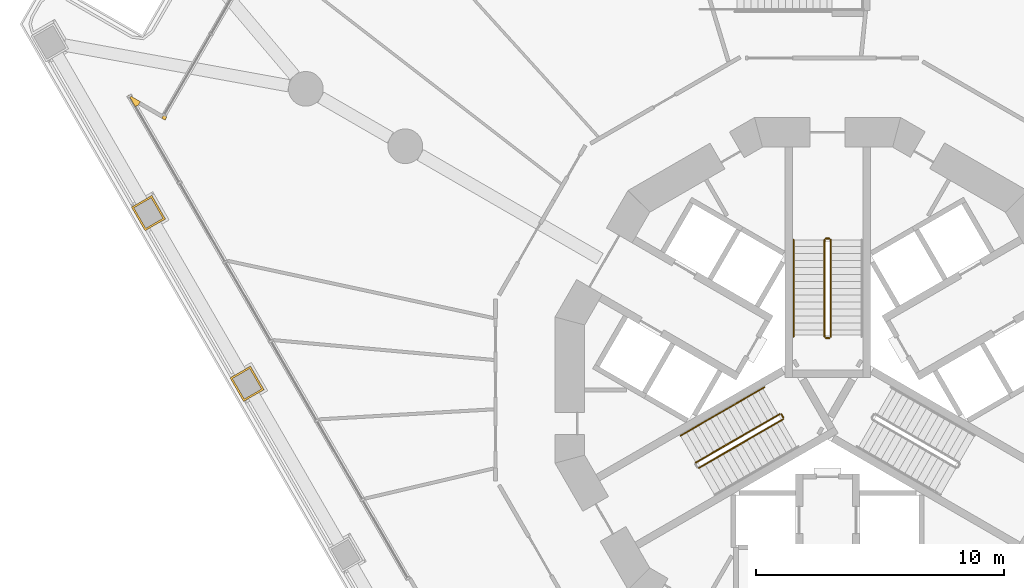
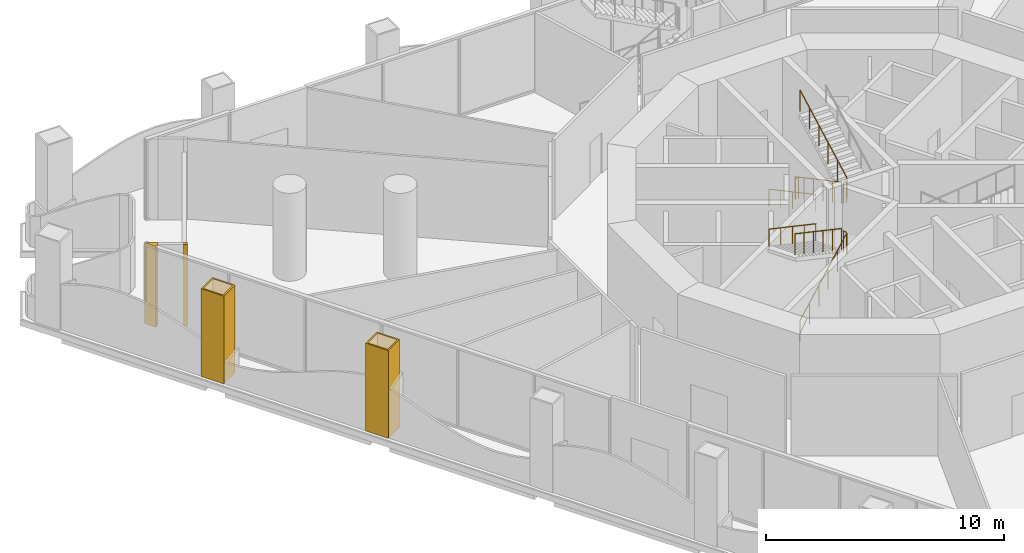
# One storey, part 20 of 23: 10 railings, 4 coverings.
"""IFC4 building model written with IfcOpenShell, lengths in metres."""

from ifc_helpers import new_model, si_unit, direction, frame, origin, origin_2d, place, context, subcontext, project, spatial, polyline, circle, outline, extrude, material, layer, layer_set, type_object, element, save


model = new_model("IFC4")

# Units and contexts
model_context = context("Model", 3, precision=1e-05, world=origin(), true_north=direction((0.0, 1.0)))
body_context = subcontext(model_context, "Body", "Model", "MODEL_VIEW")
ifc_project = project(units=[si_unit("LENGTHUNIT", "METRE"), si_unit("AREAUNIT", "SQUARE_METRE"), si_unit("VOLUMEUNIT", "CUBIC_METRE"), si_unit("PLANEANGLEUNIT", "RADIAN"), si_unit("MASSUNIT", "GRAM", prefix="KILO")], contexts=[model_context])

# Site, building, storey
site_placement = place(None, origin())
site = spatial("IfcSite", under=ifc_project, at=site_placement, CompositionType="ELEMENT")
building_placement = place(site_placement, origin())
building = spatial("IfcBuilding", under=site, at=building_placement, Name="Trine Commons Tower", CompositionType="ELEMENT")
storey_placement = place(building_placement, frame((0.0, 0.0, 18.0)))
storey = spatial("IfcBuildingStorey", under=building, at=storey_placement, Name="L03", CompositionType="ELEMENT", Elevation=18.0)

# Coverings
ifc_material_1 = material(Name="Aluminium-framed insulated wall panel", Category="aluminium")
ifc_layer_1 = layer(ifc_material_1, 0.14990234375)
ifc_layer_set_1 = layer_set([ifc_layer_1], Name="Aluminium-framed insulated wall panel")
covering_type_1 = type_object("IfcCoveringType", Name="Glazing corner post, aluminium", PredefinedType="CLADDING", material=ifc_layer_set_1)
covering_1_placement = place(storey_placement, origin())
element("IfcCovering", 1, at=covering_1_placement, inside=storey, type_object=covering_type_1, Name="Glazing corner post 1-01", PredefinedType="CLADDING", context=body_context, shape_type="SweptSolid", body=[
    extrude(outline(polyline([(51.75634765625, 74.43017578125), (51.75634765625, 74.43017578125), (52.036376953125, 73.9453125), (52.166259765625, 74.020263671875), (52.166259765625, 74.020263671875), (52.166259765625, 74.020263671875), (52.166259765625, 74.020263671875), (52.2412109375, 74.150146484375), (51.75634765625, 74.43017578125)])), origin(), (0.0, 0.0, 1.0), 4.14990234375),
])
covering_2_placement = place(storey_placement, origin())
element("IfcCovering", 2, at=covering_2_placement, inside=storey, type_object=covering_type_1, Name="Glazing corner post 1-02", PredefinedType="CLADDING", context=body_context, shape_type="SweptSolid", body=[
    extrude(outline(polyline([(53.1064453125, 73.4775390625), (53.236328125, 73.402587890625), (53.311279296875, 73.532470703125), (53.181396484375, 73.607421875), (53.1064453125, 73.4775390625)])), origin(), (0.0, 0.0, 1.0), 4.14990234375),
])
ifc_material_2 = material(Name="Limestone, honed", Category="masonry")
ifc_layer_2 = layer(ifc_material_2, 0.074951171875)
ifc_layer_set_2 = layer_set([ifc_layer_2], Name="Limestone, honed")
covering_type_2 = type_object("IfcCoveringType", Name="Limestone column cladding 75", PredefinedType="CLADDING", material=ifc_layer_set_2)
covering_3_placement = place(storey_placement, origin())
element("IfcCovering", 3, at=covering_3_placement, inside=storey, type_object=covering_type_2, Name="Limestone pier cladding 1-06", PredefinedType="CLADDING", context=body_context, shape_type="SweptSolid", body=[
    extrude(outline(polyline([(56.68359375, 63.46630859375), (55.860595703125, 62.9912109375), (56.41064453125, 62.03857421875), (57.2333984375, 62.513671875), (56.68359375, 63.46630859375)]), holes=[polyline([(56.656005859375, 63.36376953125), (55.963134765625, 62.9638671875), (56.438232421875, 62.14111328125), (57.131103515625, 62.541015625), (56.656005859375, 63.36376953125)])]), origin(), (0.0, 0.0, 1.0), 4.5),
])
covering_4_placement = place(storey_placement, origin())
element("IfcCovering", 4, at=covering_4_placement, inside=storey, type_object=covering_type_2, Name="Limestone pier cladding 1-07", PredefinedType="CLADDING", context=body_context, shape_type="SweptSolid", body=[
    extrude(outline(polyline([(52.701904296875, 70.36279296875), (51.87890625, 69.8876953125), (52.428955078125, 68.93505859375), (53.251708984375, 69.41015625), (52.701904296875, 70.36279296875)]), holes=[polyline([(52.67431640625, 70.26025390625), (51.9814453125, 69.8603515625), (52.45654296875, 69.03759765625), (53.1494140625, 69.4375), (52.67431640625, 70.26025390625)])]), origin(), (0.0, 0.0, 1.0), 4.5),
])

# Railings
ifc_material_3 = material(Name="Stainless steel balustrade", Category="steel")
railing_type_1 = type_object("IfcRailingType", Name="Stair guard, steel balustrade 1100", PredefinedType="GUARDRAIL", material=ifc_material_3)
railing_1_placement = place(storey_placement, frame((79.875, 68.570556640625, 0.14990234375)))
element("IfcRailing", 5, at=railing_1_placement, inside=storey, type_object=railing_type_1, Name="L03 ST1A stair guard 1", PredefinedType="GUARDRAIL", context=body_context, shape_type="SweptSolid", body=[
    extrude(circle(Radius=0.02392578125, at=origin_2d()), frame((0.0, 0.0, 1.076171875), z_axis=(0.0, -0.881466911329, 0.472245787945), x_axis=(1.0, 0.0, 0.0)), (0.0, 0.0, 1.0), 4.447021484375),
    extrude(circle(Radius=0.02099609375, at=origin_2d()), origin(), (0.0, 0.0, 1.0), 1.052001953125),
    extrude(circle(Radius=0.02099609375, at=origin_2d()), frame((0.0, -0.783935546875, 0.419921875)), (0.0, 0.0, 1.0), 1.052001953125),
    extrude(circle(Radius=0.02099609375, at=origin_2d()), frame((0.0, -1.56787109375, 0.840087890625)), (0.0, 0.0, 1.0), 1.052001953125),
    extrude(circle(Radius=0.02099609375, at=origin_2d()), frame((0.0, -2.35205078125, 1.260009765625)), (0.0, 0.0, 1.0), 1.052001953125),
    extrude(circle(Radius=0.02099609375, at=origin_2d()), frame((0.0, -3.135986328125, 1.68017578125)), (0.0, 0.0, 1.0), 1.052001953125),
    extrude(circle(Radius=0.02099609375, at=origin_2d()), frame((0.0, -3.919921875, 2.10009765625)), (0.0, 0.0, 1.0), 1.052001953125),
])
railing_2_placement = place(storey_placement, frame((79.925048828125, 64.6005859375, 2.25)))
element("IfcRailing", 6, at=railing_2_placement, inside=storey, type_object=railing_type_1, Name="L03 ST1A stair guard 2", PredefinedType="GUARDRAIL", context=body_context, shape_type="SweptSolid", body=[
    extrude(circle(Radius=0.02392578125, at=origin_2d()), frame((0.0, 0.0, 1.076171875), z_axis=(1.0, 0.0, 0.0), x_axis=(0.0, 1.0, 0.0)), (0.0, 0.0, 1.0), 0.14990234375),
    extrude(circle(Radius=0.02099609375, at=origin_2d()), origin(), (0.0, 0.0, 1.0), 1.052001953125),
    extrude(circle(Radius=0.02099609375, at=origin_2d()), frame((0.14990234375, 0.0, 0.0)), (0.0, 0.0, 1.0), 1.052001953125),
])
railing_3_placement = place(storey_placement, frame((80.125, 64.650634765625, 2.39990234375)))
element("IfcRailing", 7, at=railing_3_placement, inside=storey, type_object=railing_type_1, Name="L03 ST1A stair guard 3", PredefinedType="GUARDRAIL", context=body_context, shape_type="SweptSolid", body=[
    extrude(circle(Radius=0.02392578125, at=origin_2d()), frame((0.0, 0.0, 1.076171875), z_axis=(0.0, 0.881466911329, 0.472245787945), x_axis=(-1.0, 0.0, 0.0)), (0.0, 0.0, 1.0), 4.447021484375),
    extrude(circle(Radius=0.02099609375, at=origin_2d()), origin(), (0.0, 0.0, 1.0), 1.052001953125),
    extrude(circle(Radius=0.02099609375, at=origin_2d()), frame((0.0, 0.783935546875, 0.419921875)), (0.0, 0.0, 1.0), 1.052001953125),
    extrude(circle(Radius=0.02099609375, at=origin_2d()), frame((0.0, 1.56787109375, 0.840087890625)), (0.0, 0.0, 1.0), 1.052001953125),
    extrude(circle(Radius=0.02099609375, at=origin_2d()), frame((0.0, 2.35205078125, 1.260009765625)), (0.0, 0.0, 1.0), 1.052001953125),
    extrude(circle(Radius=0.02099609375, at=origin_2d()), frame((0.0, 3.135986328125, 1.68017578125)), (0.0, 0.0, 1.0), 1.052001953125),
    extrude(circle(Radius=0.02099609375, at=origin_2d()), frame((0.0, 3.919921875, 2.10009765625)), (0.0, 0.0, 1.0), 1.052001953125),
])
railing_4_placement = place(storey_placement, frame((79.925048828125, 68.62060546875, 0.0)))
element("IfcRailing", 8, at=railing_4_placement, inside=storey, type_object=railing_type_1, Name="L03 ST1A stair guard 4", PredefinedType="GUARDRAIL", context=body_context, shape_type="SweptSolid", body=[
    extrude(circle(Radius=0.02392578125, at=origin_2d()), frame((0.0, 0.0, 1.076171875), z_axis=(1.0, 0.0, 0.0), x_axis=(0.0, 1.0, 0.0)), (0.0, 0.0, 1.0), 0.14990234375),
    extrude(circle(Radius=0.02099609375, at=origin_2d()), origin(), (0.0, 0.0, 1.0), 1.052001953125),
    extrude(circle(Radius=0.02099609375, at=origin_2d()), frame((0.14990234375, 0.0, 0.0)), (0.0, 0.0, 1.0), 1.052001953125),
])
railing_5_placement = place(storey_placement, frame((74.80517578125, 59.3564453125, 0.14990234375)))
element("IfcRailing", 9, at=railing_5_placement, inside=storey, type_object=railing_type_1, Name="L03 ST2A stair guard 1", PredefinedType="GUARDRAIL", context=body_context, shape_type="SweptSolid", body=[
    extrude(circle(Radius=0.02392578125, at=origin_2d()), frame((0.0, 0.0, 1.076171875), z_axis=(0.763374939589, 0.440731680332, 0.472243885677), x_axis=(-0.499997407846, 0.86602690036, 0.0)), (0.0, 0.0, 1.0), 4.447021484375),
    extrude(circle(Radius=0.02099609375, at=origin_2d()), origin(), (0.0, 0.0, 1.0), 1.052001953125),
    extrude(circle(Radius=0.02099609375, at=origin_2d()), frame((0.678955078125, 0.39208984375, 0.419921875)), (0.0, 0.0, 1.0), 1.052001953125),
    extrude(circle(Radius=0.02099609375, at=origin_2d()), frame((1.35791015625, 0.783935546875, 0.840087890625)), (0.0, 0.0, 1.0), 1.052001953125),
    extrude(circle(Radius=0.02099609375, at=origin_2d()), frame((2.036865234375, 1.176025390625, 1.260009765625)), (0.0, 0.0, 1.0), 1.052001953125),
    extrude(circle(Radius=0.02099609375, at=origin_2d()), frame((2.7158203125, 1.56787109375, 1.68017578125)), (0.0, 0.0, 1.0), 1.052001953125),
    extrude(circle(Radius=0.02099609375, at=origin_2d()), frame((3.394775390625, 1.9599609375, 2.10009765625)), (0.0, 0.0, 1.0), 1.052001953125),
])
railing_6_placement = place(storey_placement, frame((78.21826171875, 61.384765625, 2.25)))
element("IfcRailing", 10, at=railing_6_placement, inside=storey, type_object=railing_type_1, Name="L03 ST2A stair guard 2", PredefinedType="GUARDRAIL", context=body_context, shape_type="SweptSolid", body=[
    extrude(circle(Radius=0.02392578125, at=origin_2d()), frame((0.0, 0.0, 1.076171875), z_axis=(-0.499816412211, 0.866131372301, 0.0), x_axis=(-0.866131372301, -0.499816412211, 0.0)), (0.0, 0.0, 1.0), 0.14990234375),
    extrude(circle(Radius=0.02099609375, at=origin_2d()), origin(), (0.0, 0.0, 1.0), 1.052001953125),
    extrude(circle(Radius=0.02099609375, at=origin_2d()), frame((-0.074951171875, 0.1298828125, 0.0)), (0.0, 0.0, 1.0), 1.052001953125),
])
railing_7_placement = place(storey_placement, frame((78.074951171875, 61.532958984375, 2.39990234375)))
element("IfcRailing", 11, at=railing_7_placement, inside=storey, type_object=railing_type_1, Name="L03 ST2A stair guard 3", PredefinedType="GUARDRAIL", context=body_context, shape_type="SweptSolid", body=[
    extrude(circle(Radius=0.02392578125, at=origin_2d()), frame((0.0, 0.0, 1.076171875), z_axis=(-0.763374939589, -0.440731680332, 0.472243885677), x_axis=(0.499997407846, -0.86602690036, 0.0)), (0.0, 0.0, 1.0), 4.447021484375),
    extrude(circle(Radius=0.02099609375, at=origin_2d()), origin(), (0.0, 0.0, 1.0), 1.052001953125),
    extrude(circle(Radius=0.02099609375, at=origin_2d()), frame((-0.678955078125, -0.39208984375, 0.419921875)), (0.0, 0.0, 1.0), 1.052001953125),
    extrude(circle(Radius=0.02099609375, at=origin_2d()), frame((-1.35791015625, -0.783935546875, 0.840087890625)), (0.0, 0.0, 1.0), 1.052001953125),
    extrude(circle(Radius=0.02099609375, at=origin_2d()), frame((-2.036865234375, -1.176025390625, 1.260009765625)), (0.0, 0.0, 1.0), 1.052001953125),
    extrude(circle(Radius=0.02099609375, at=origin_2d()), frame((-2.7158203125, -1.56787109375, 1.68017578125)), (0.0, 0.0, 1.0), 1.052001953125),
    extrude(circle(Radius=0.02099609375, at=origin_2d()), frame((-3.394775390625, -1.9599609375, 2.10009765625)), (0.0, 0.0, 1.0), 1.052001953125),
])
ifc_material_4 = material(Name="Stainless steel handrail", Category="steel")
railing_type_2 = type_object("IfcRailingType", Name="Stair handrail, steel 900", PredefinedType="HANDRAIL", material=ifc_material_4)
railing_8_placement = place(storey_placement, frame((78.625, 68.570556640625, 0.14990234375)))
element("IfcRailing", 12, at=railing_8_placement, inside=storey, type_object=railing_type_2, Name="L03 ST1A stair handrail 1", PredefinedType="HANDRAIL", context=body_context, shape_type="SweptSolid", body=[
    extrude(circle(Radius=0.02099609375, at=origin_2d()), frame((0.0, 0.0, 0.87890625), z_axis=(0.0, -0.881466911329, 0.472245787945), x_axis=(1.0, 0.0, 0.0)), (0.0, 0.0, 1.0), 4.447021484375),
    extrude(circle(Radius=0.01513671875, at=origin_2d()), origin(), (0.0, 0.0, 1.0), 0.85791015625),
    extrude(circle(Radius=0.01513671875, at=origin_2d()), frame((0.0, -0.97998046875, 0.52490234375)), (0.0, 0.0, 1.0), 0.85791015625),
    extrude(circle(Radius=0.01513671875, at=origin_2d()), frame((0.0, -1.9599609375, 1.050048828125)), (0.0, 0.0, 1.0), 0.85791015625),
    extrude(circle(Radius=0.01513671875, at=origin_2d()), frame((0.0, -2.93994140625, 1.5751953125)), (0.0, 0.0, 1.0), 0.85791015625),
    extrude(circle(Radius=0.01513671875, at=origin_2d()), frame((0.0, -3.919921875, 2.10009765625)), (0.0, 0.0, 1.0), 0.85791015625),
])
railing_9_placement = place(storey_placement, frame((77.449951171875, 62.615478515625, 2.39990234375)))
element("IfcRailing", 13, at=railing_9_placement, inside=storey, type_object=railing_type_2, Name="L03 ST2A stair handrail 3", PredefinedType="HANDRAIL", context=body_context, shape_type="SweptSolid", body=[
    extrude(circle(Radius=0.02099609375, at=origin_2d()), frame((0.0, 0.0, 0.87890625), z_axis=(-0.763352030933, -0.440750151347, 0.472263677365), x_axis=(0.500024377727, -0.866011328839, 0.0)), (0.0, 0.0, 1.0), 2.223388671875),
    extrude(circle(Radius=0.01513671875, at=origin_2d()), origin(), (0.0, 0.0, 1.0), 0.85791015625),
    extrude(circle(Radius=0.01513671875, at=origin_2d()), frame((-0.8486328125, -0.489990234375, 0.52490234375)), (0.0, 0.0, 1.0), 0.85791015625),
    extrude(circle(Radius=0.01513671875, at=origin_2d()), frame((-1.697265625, -0.97998046875, 1.050048828125)), (0.0, 0.0, 1.0), 0.85791015625),
])
railing_10_placement = place(storey_placement, frame((75.752685546875, 61.635498046875, 3.449951171875)))
element("IfcRailing", 14, at=railing_10_placement, inside=storey, type_object=railing_type_2, Name="L03 ST2A stair handrail 4", PredefinedType="HANDRAIL", context=body_context, shape_type="SweptSolid", body=[
    extrude(circle(Radius=0.02099609375, at=origin_2d()), frame((0.0, 0.0, 0.87890625), z_axis=(-0.763397845365, -0.440713210311, 0.472224095054), x_axis=(0.499970440388, -0.866042469362, 0.0)), (0.0, 0.0, 1.0), 2.2236328125),
    extrude(circle(Radius=0.01513671875, at=origin_2d()), origin(), (0.0, 0.0, 1.0), 0.85791015625),
    extrude(circle(Radius=0.01513671875, at=origin_2d()), frame((-0.8486328125, -0.489990234375, 0.52490234375)), (0.0, 0.0, 1.0), 0.85791015625),
    extrude(circle(Radius=0.01513671875, at=origin_2d()), frame((-1.697509765625, -0.97998046875, 1.050048828125)), (0.0, 0.0, 1.0), 0.85791015625),
])

save(model, "model.ifc")
